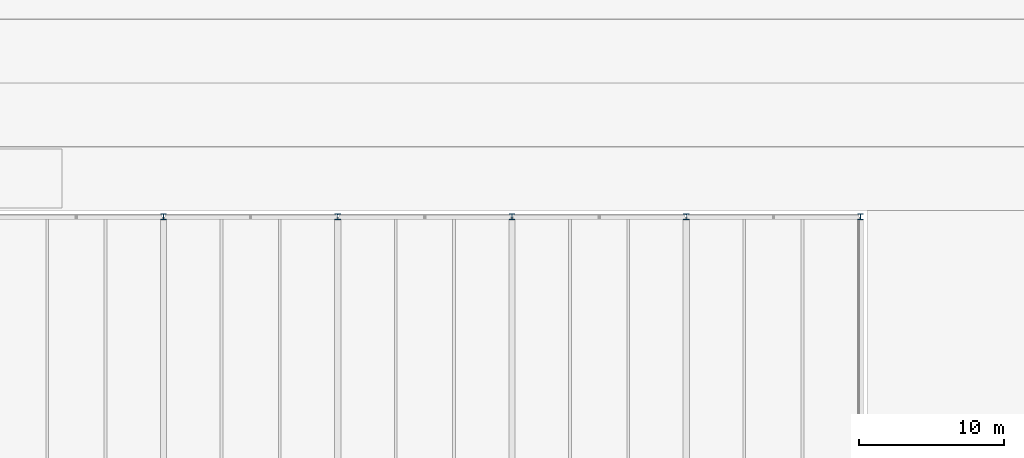
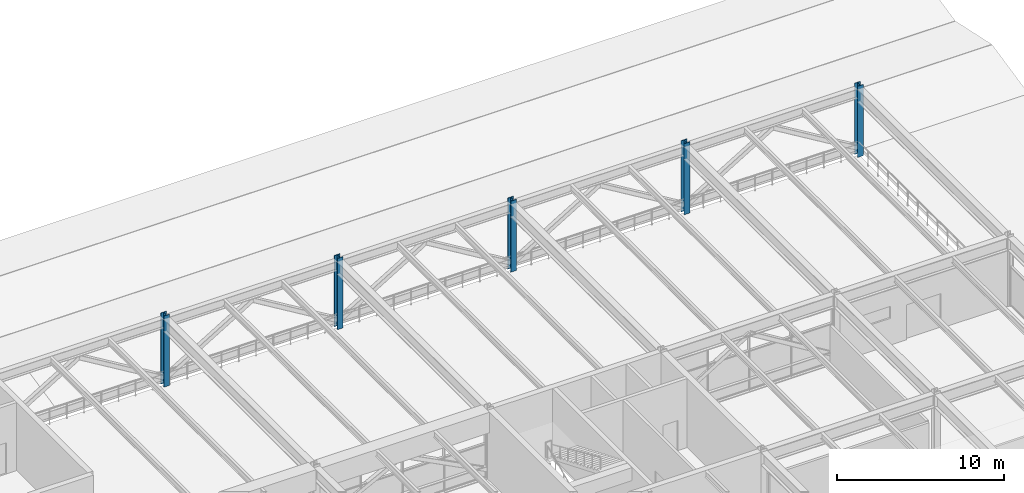
# One storey, part 5 of 42: 5 columns.
"""IFC4 building model written with IfcOpenShell, lengths in metres."""

from ifc_helpers import new_model, si_unit, direction, frame, origin, origin_2d, place, context, subcontext, project, spatial, i_section, extrude, material, material_profile, profile_set, type_object, element, save


model = new_model("IFC4")

# Units and contexts
model_context = context("Model", 3, precision=1e-05, world=origin(), true_north=direction((0.0, 1.0)))
body_context = subcontext(model_context, "Body", "Model", "MODEL_VIEW")
ifc_project = project(units=[si_unit("LENGTHUNIT", "METRE"), si_unit("AREAUNIT", "SQUARE_METRE"), si_unit("VOLUMEUNIT", "CUBIC_METRE"), si_unit("PLANEANGLEUNIT", "RADIAN"), si_unit("MASSUNIT", "GRAM", prefix="KILO")], contexts=[model_context])

# Site, building, storey
site_placement = place(None, origin())
site = spatial("IfcSite", under=ifc_project, at=site_placement, CompositionType="ELEMENT")
building_placement = place(site_placement, origin())
building = spatial("IfcBuilding", under=site, at=building_placement, Name="Girod Span Mobility Hub", CompositionType="ELEMENT")
storey_placement = place(building_placement, frame((0.0, 0.0, 32.39990234375)))
storey = spatial("IfcBuildingStorey", under=building, at=storey_placement, Name="L08", CompositionType="ELEMENT", Elevation=32.39990234375)

# Columns
ifc_material = material(Name="Steel A992 Grade 50", Category="steel")
ifc_material_profile = material_profile(ifc_material, i_section(OverallWidth=0.39892578125, OverallDepth=0.39306640625, WebThickness=0.022705078125, FlangeThickness=0.03662109375, FilletRadius=0.01806640625, at=origin_2d()), Name="W14X193")
ifc_profile_set = profile_set([ifc_material_profile], Name="Steel A992 Grade 50")
column_type = type_object("IfcColumnType", Name="COL-STL-W14X193", PredefinedType="COLUMN", material=ifc_profile_set)
for number, where, z_axis, x_axis, name in (
    (1, (96.0, 87.0, 0.0), (0.0, 0.0, 1.0), (1.0, 0.0, 0.0), "Column 9G L08"),
    (2, (108.0, 87.0, 0.0), (0.0, 0.0, 1.0), (1.0, 0.0, 0.0), "Column 10G L08"),
    (3, (120.0, 87.0, 0.0), (0.0, 0.0, 1.0), (1.0, 0.0, 0.0), "Column 11G L08"),
    (4, (132.0, 87.0, 0.0), (0.0, 0.0, 1.0), (1.0, 0.0, 0.0), "Column 12G L08"),
    (5, (144.0, 87.0, 0.0), (0.0, 0.0, 1.0), (1.0, 0.0, 0.0), "Column 13G L08"),
):
    element("IfcColumn", number, at=place(storey_placement, frame(where, z_axis=z_axis, x_axis=x_axis)), inside=storey, type_object=column_type, Name=name, PredefinedType="COLUMN", context=body_context, shape_type="SweptSolid", body=[
        extrude(i_section(OverallWidth=0.39892578125, OverallDepth=0.39306640625, WebThickness=0.022705078125, FlangeThickness=0.03662109375, FilletRadius=0.01806640625, at=origin_2d()), origin(), (0.0, 0.0, 1.0), 5.2001953125),
    ])

save(model, "model.ifc")
